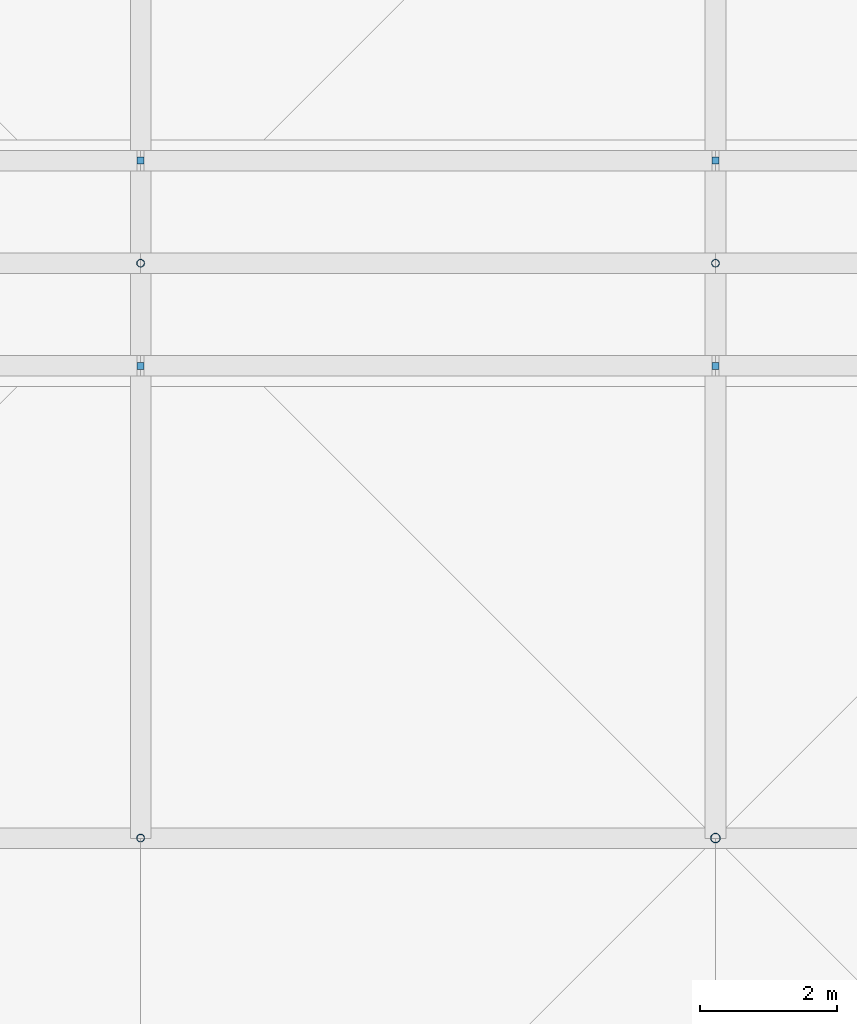
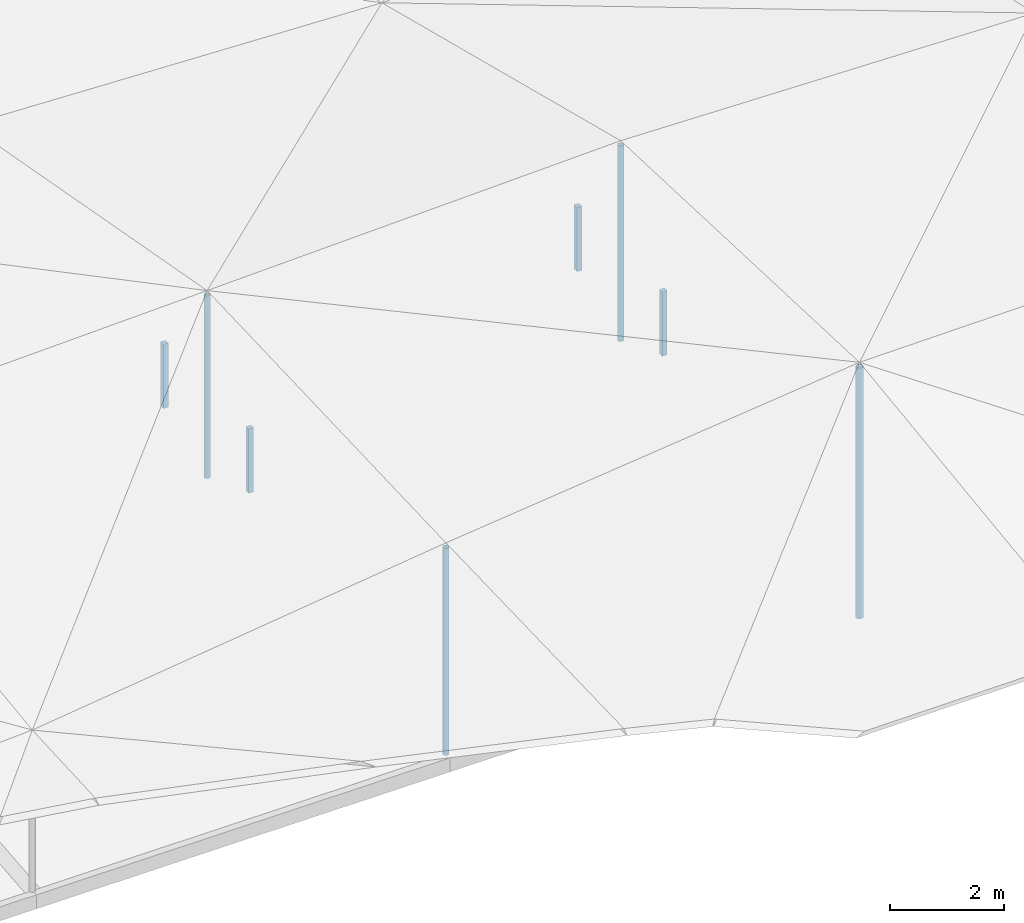
# One storey, part 32 of 46: 8 discrete accessories.
"""IFC4 building model written with IfcOpenShell, lengths in metres."""

from ifc_helpers import new_model, si_unit, direction, frame, origin, origin_2d, place, context, subcontext, project, spatial, rectangle, hollow_circle, extrude, material, layer, layer_set, material_profile, profile_set, type_object, element, save


model = new_model("IFC4")

# Units and contexts
model_context = context("Model", 3, precision=1e-05, world=origin(), true_north=direction((0.0, 1.0)))
body_context = subcontext(model_context, "Body", "Model", "MODEL_VIEW")
ifc_project = project(units=[si_unit("LENGTHUNIT", "METRE"), si_unit("AREAUNIT", "SQUARE_METRE"), si_unit("VOLUMEUNIT", "CUBIC_METRE"), si_unit("PLANEANGLEUNIT", "RADIAN"), si_unit("MASSUNIT", "GRAM", prefix="KILO")], contexts=[model_context])

# Site, building, storey
site_placement = place(None, origin())
site = spatial("IfcSite", under=ifc_project, at=site_placement, CompositionType="ELEMENT")
building_placement = place(site_placement, origin())
building = spatial("IfcBuilding", under=site, at=building_placement, Name="Rain Tree Exposition and Congress Centre", CompositionType="ELEMENT")
storey_placement = place(building_placement, frame((0.0, 0.0, 27.0)))
storey = spatial("IfcBuildingStorey", under=building, at=storey_placement, Name="ROOF VAULT CREST", CompositionType="ELEMENT", Elevation=27.0)

# Discrete accessories
ifc_material_1 = material(Name="Steel S355J2", Category="steel")
ifc_layer = layer(ifc_material_1, 0.10009765625)
ifc_layer_set = layer_set([ifc_layer], Name="Steel S355J2")
discrete_accessory_type_1 = type_object("IfcDiscreteAccessoryType", Name="Ridge lantern post 100", PredefinedType="BRACKET", material=ifc_layer_set)
for number, where, z_axis, x_axis, name in (
    (1, (201.60009765625, 174.89990234375, 2.0), (0.0, 0.0, 1.0), (1.0, 0.0, 0.0), "Lantern post SR1-7"),
    (2, (210.0, 174.89990234375, 2.0), (0.0, 0.0, 1.0), (1.0, 0.0, 0.0), "Lantern post SR1-8"),
    (3, (201.60009765625, 177.89990234375, 2.0), (0.0, 0.0, 1.0), (1.0, 0.0, 0.0), "Lantern post NR1-7"),
    (4, (210.0, 177.89990234375, 2.0), (0.0, 0.0, 1.0), (1.0, 0.0, 0.0), "Lantern post NR1-8"),
):
    element("IfcDiscreteAccessory", number, at=place(storey_placement, frame(where, z_axis=z_axis, x_axis=x_axis)), inside=storey, type_object=discrete_accessory_type_1, Name=name, PredefinedType="BRACKET", context=body_context, shape_type="SweptSolid", body=[
        extrude(rectangle(XDim=0.10009765625, YDim=0.10009765625, at=origin_2d()), origin(), (0.0, 0.0, 1.0), 1.3798828125),
    ])
ifc_material_2 = material(Name="Steel S355J2H", Category="steel")
ifc_material_profile_1 = material_profile(ifc_material_2, hollow_circle(Radius=0.05712890625, WallThickness=0.00439453125, at=origin_2d()), Name="CHS 114x4.5")
ifc_profile_set_1 = profile_set([ifc_material_profile_1], Name="Steel S355J2H")
discrete_accessory_type_2 = type_object("IfcDiscreteAccessoryType", Name="Roof skin post CHS 114x4.5", PredefinedType="BRACKET", material=ifc_profile_set_1)
discrete_accessory_1_placement = place(storey_placement, frame((201.60009765625, 168.0, 0.551025390625), z_axis=(0.0, 0.0, 1.0), x_axis=(1.0, 0.0, 0.0)))
element("IfcDiscreteAccessory", 5, at=discrete_accessory_1_placement, inside=storey, type_object=discrete_accessory_type_2, Name="Roof skin post B112", PredefinedType="BRACKET", context=body_context, shape_type="SweptSolid", body=[
    extrude(hollow_circle(Radius=0.05712890625, WallThickness=0.00439453125, at=origin_2d()), origin(), (0.0, 0.0, 1.0), 4.44580078125),
])
discrete_accessory_2_placement = place(storey_placement, frame((201.60009765625, 176.39990234375, 1.39990234375), z_axis=(0.0, 0.0, 1.0), x_axis=(1.0, 0.0, 0.0)))
element("IfcDiscreteAccessory", 6, at=discrete_accessory_2_placement, inside=storey, type_object=discrete_accessory_type_2, Name="Roof skin post B125", PredefinedType="BRACKET", context=body_context, shape_type="SweptSolid", body=[
    extrude(hollow_circle(Radius=0.05712890625, WallThickness=0.00439453125, at=origin_2d()), origin(), (0.0, 0.0, 1.0), 3.920166015625),
])
discrete_accessory_3_placement = place(storey_placement, frame((210.0, 176.39990234375, 1.39990234375), z_axis=(0.0, 0.0, 1.0), x_axis=(1.0, 0.0, 0.0)))
element("IfcDiscreteAccessory", 7, at=discrete_accessory_3_placement, inside=storey, type_object=discrete_accessory_type_2, Name="Roof skin post B126", PredefinedType="BRACKET", context=body_context, shape_type="SweptSolid", body=[
    extrude(hollow_circle(Radius=0.05712890625, WallThickness=0.00439453125, at=origin_2d()), origin(), (0.0, 0.0, 1.0), 4.197265625),
])
ifc_material_3 = material(Name="Steel S355J2H", Category="steel")
ifc_material_profile_2 = material_profile(ifc_material_3, hollow_circle(Radius=0.06982421875, WallThickness=0.0048828125, at=origin_2d()), Name="CHS 140x5")
ifc_profile_set_2 = profile_set([ifc_material_profile_2], Name="Steel S355J2H")
discrete_accessory_type_3 = type_object("IfcDiscreteAccessoryType", Name="Roof skin post CHS 140x5", PredefinedType="BRACKET", material=ifc_profile_set_2)
discrete_accessory_4_placement = place(storey_placement, frame((210.0, 168.0, 0.551025390625), z_axis=(0.0, 0.0, 1.0), x_axis=(1.0, 0.0, 0.0)))
element("IfcDiscreteAccessory", 8, at=discrete_accessory_4_placement, inside=storey, type_object=discrete_accessory_type_3, Name="Roof skin post B113", PredefinedType="BRACKET", context=body_context, shape_type="SweptSolid", body=[
    extrude(hollow_circle(Radius=0.06982421875, WallThickness=0.0048828125, at=origin_2d()), origin(), (0.0, 0.0, 1.0), 5.380615234375),
])

save(model, "model.ifc")
